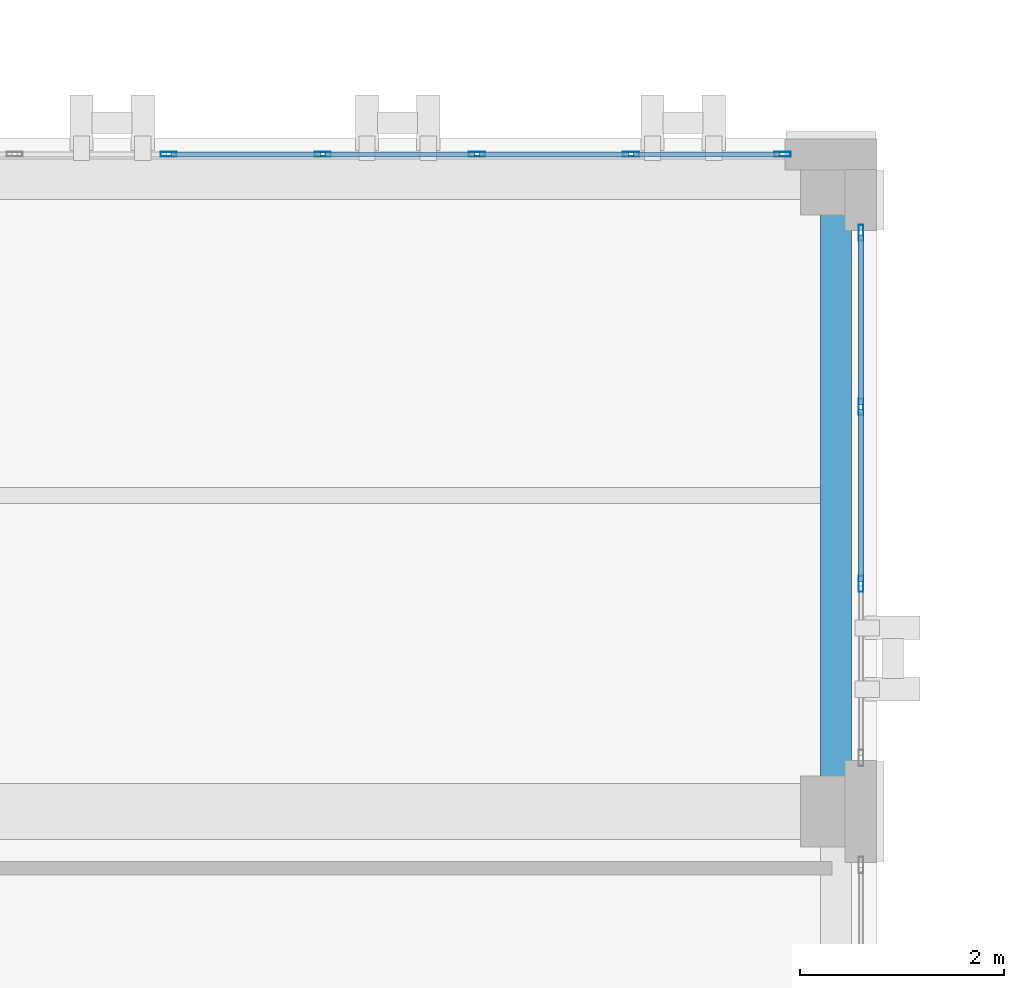
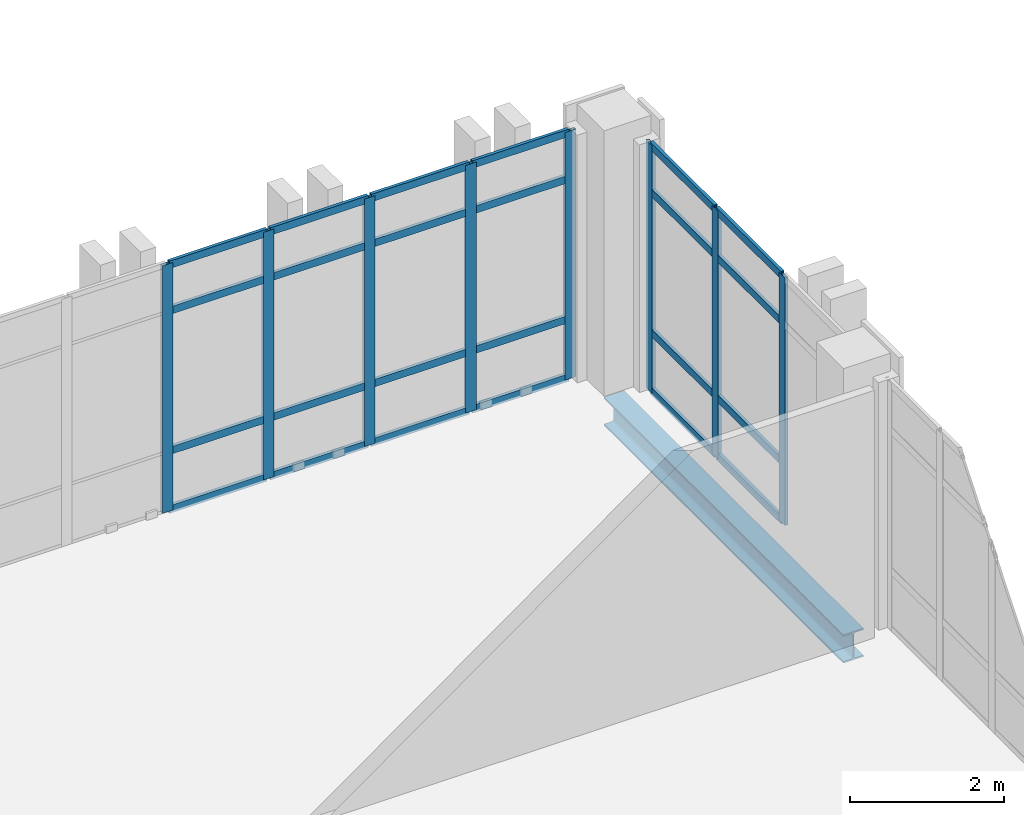
# One storey, part 112 of 193: 32 members, 1 beam, 2 elements without a shape of their own.
"""IFC4 building model written with IfcOpenShell, lengths in metres."""

from ifc_helpers import new_model, si_unit, direction, frame, origin, origin_2d, place, context, subcontext, project, spatial, hollow_rectangle, i_section, extrude, material, layer, layer_set, material_profile, profile_set, type_object, element, aggregate, save


model = new_model("IFC4")

# Units and contexts
model_context = context("Model", 3, precision=1e-05, world=origin(), true_north=direction((0.0, 1.0)))
body_context = subcontext(model_context, "Body", "Model", "MODEL_VIEW")
ifc_project = project(units=[si_unit("LENGTHUNIT", "METRE"), si_unit("AREAUNIT", "SQUARE_METRE"), si_unit("VOLUMEUNIT", "CUBIC_METRE"), si_unit("PLANEANGLEUNIT", "RADIAN"), si_unit("MASSUNIT", "GRAM", prefix="KILO")], contexts=[model_context])

# Site, building, storey
site_placement = place(None, origin())
site = spatial("IfcSite", under=ifc_project, at=site_placement, CompositionType="ELEMENT")
building_placement = place(site_placement, origin())
building = spatial("IfcBuilding", under=site, at=building_placement, Name="Qalavern Law Courts", CompositionType="ELEMENT")
storey_placement = place(building_placement, frame((0.0, 0.0, 10.199951171875)))
storey = spatial("IfcBuildingStorey", under=building, at=storey_placement, Name="L02", CompositionType="ELEMENT", Elevation=10.199951171875)

# Curtain wall, members
ifc_material_1 = material(Name="Anodised aluminium and insulated glazing", Category="aluminium")
ifc_layer = layer(ifc_material_1, 0.172119140625)
ifc_layer_set = layer_set([ifc_layer], Name="Anodised aluminium and insulated glazing")
curtain_wall_type = type_object("IfcCurtainWallType", Name="ENV-CW-COURT", PredefinedType="USERDEFINED", material=ifc_layer_set)
curtain_wall_1_placement = place(storey_placement, origin())
curtain_wall_1 = element("IfcCurtainWall", 1, at=curtain_wall_1_placement, inside=storey, type_object=curtain_wall_type, Name="V4 unitised curtain wall L02 east 5", ObjectType="UNITISED CURTAIN WALL", PredefinedType="USERDEFINED")
ifc_material_2 = material(Name="Anodised aluminium", Category="aluminium")
ifc_material_profile_1 = material_profile(ifc_material_2, hollow_rectangle(XDim=0.048095703125, YDim=0.159912109375, WallThickness=0.00390625, at=origin_2d()), Name="ALU MULLION 48x160")
ifc_profile_set_1 = profile_set([ifc_material_profile_1], Name="Anodised aluminium")
member_type_1 = type_object("IfcMemberType", Name="ENV-CWM-48x160", PredefinedType="MULLION", material=ifc_profile_set_1)
member_1_placement = place(storey_placement, frame((106.64501953125, 81.433349609375, 0.0), z_axis=(0.0, 0.0, 1.0), x_axis=(-1.0, 0.0, 0.0)))
member_1 = element("IfcMember", 2, at=member_1_placement, type_object=member_type_1, Name="CW-03 mullion 2", PredefinedType="MULLION", context=body_context, shape_type="SweptSolid", body=[
    extrude(hollow_rectangle(XDim=0.048095703125, YDim=0.159912109375, WallThickness=0.00390625, at=origin_2d()), origin(), (0.0, 0.0, 1.0), 3.9150390625),
])
member_2_placement = place(storey_placement, frame((106.64501953125, 83.166748046875, 0.0), z_axis=(0.0, 0.0, 1.0), x_axis=(-1.0, 0.0, 0.0)))
member_2 = element("IfcMember", 3, at=member_2_placement, type_object=member_type_1, Name="CW-03 mullion 3", PredefinedType="MULLION", context=body_context, shape_type="SweptSolid", body=[
    extrude(hollow_rectangle(XDim=0.048095703125, YDim=0.159912109375, WallThickness=0.00390625, at=origin_2d()), origin(), (0.0, 0.0, 1.0), 3.9150390625),
])
member_3_placement = place(storey_placement, frame((106.64501953125, 84.8759765625, 0.0), z_axis=(0.0, 0.0, 1.0), x_axis=(-1.0, 0.0, 0.0)))
member_3 = element("IfcMember", 4, at=member_3_placement, type_object=member_type_1, Name="CW-03 mullion 4", PredefinedType="MULLION", context=body_context, shape_type="SweptSolid", body=[
    extrude(hollow_rectangle(XDim=0.048095703125, YDim=0.159912109375, WallThickness=0.00390625, at=origin_2d()), origin(), (0.0, 0.0, 1.0), 3.9150390625),
])

curtain_wall_2_placement = place(storey_placement, origin())
curtain_wall_2 = element("IfcCurtainWall", 5, at=curtain_wall_2_placement, inside=storey, type_object=curtain_wall_type, Name="V4 unitised curtain wall L02 north 1", ObjectType="UNITISED CURTAIN WALL", PredefinedType="USERDEFINED")
member_4_placement = place(storey_placement, frame((105.8759765625, 85.64501953125, 0.0), z_axis=(0.0, 0.0, 1.0), x_axis=(0.0, -1.0, 0.0)))
member_4 = element("IfcMember", 6, at=member_4_placement, type_object=member_type_1, Name="CW-03 mullion 1", PredefinedType="MULLION", context=body_context, shape_type="SweptSolid", body=[
    extrude(hollow_rectangle(XDim=0.048095703125, YDim=0.159912109375, WallThickness=0.00390625, at=origin_2d()), origin(), (0.0, 0.0, 1.0), 3.9150390625),
])
member_5_placement = place(storey_placement, frame((104.388916015625, 85.64501953125, 0.0), z_axis=(0.0, 0.0, 1.0), x_axis=(0.0, -1.0, 0.0)))
member_5 = element("IfcMember", 7, at=member_5_placement, type_object=member_type_1, Name="CW-03 mullion 2", PredefinedType="MULLION", context=body_context, shape_type="SweptSolid", body=[
    extrude(hollow_rectangle(XDim=0.048095703125, YDim=0.159912109375, WallThickness=0.00390625, at=origin_2d()), origin(), (0.0, 0.0, 1.0), 3.9150390625),
])
member_6_placement = place(storey_placement, frame((102.877685546875, 85.64501953125, 0.0), z_axis=(0.0, 0.0, 1.0), x_axis=(0.0, -1.0, 0.0)))
member_6 = element("IfcMember", 8, at=member_6_placement, type_object=member_type_1, Name="CW-03 mullion 3", PredefinedType="MULLION", context=body_context, shape_type="SweptSolid", body=[
    extrude(hollow_rectangle(XDim=0.048095703125, YDim=0.159912109375, WallThickness=0.00390625, at=origin_2d()), origin(), (0.0, 0.0, 1.0), 3.9150390625),
])
member_7_placement = place(storey_placement, frame((101.36669921875, 85.64501953125, 0.0), z_axis=(0.0, 0.0, 1.0), x_axis=(0.0, -1.0, 0.0)))
member_7 = element("IfcMember", 9, at=member_7_placement, type_object=member_type_1, Name="CW-03 mullion 4", PredefinedType="MULLION", context=body_context, shape_type="SweptSolid", body=[
    extrude(hollow_rectangle(XDim=0.048095703125, YDim=0.159912109375, WallThickness=0.00390625, at=origin_2d()), origin(), (0.0, 0.0, 1.0), 3.9150390625),
])
member_8_placement = place(storey_placement, frame((99.85546875, 85.64501953125, 0.0), z_axis=(0.0, 0.0, 1.0), x_axis=(0.0, -1.0, 0.0)))
member_8 = element("IfcMember", 10, at=member_8_placement, type_object=member_type_1, Name="CW-03 mullion 5", PredefinedType="MULLION", context=body_context, shape_type="SweptSolid", body=[
    extrude(hollow_rectangle(XDim=0.048095703125, YDim=0.159912109375, WallThickness=0.00390625, at=origin_2d()), origin(), (0.0, 0.0, 1.0), 3.9150390625),
])

# Member
ifc_material_profile_2 = material_profile(ifc_material_2, hollow_rectangle(XDim=0.048095703125, YDim=0.1201171875, WallThickness=0.00390625, at=origin_2d()), Name="ALU TRANSOM 48x120")
ifc_profile_set_2 = profile_set([ifc_material_profile_2], Name="Anodised aluminium")
member_type_2 = type_object("IfcMemberType", Name="ENV-CWT-48x120", PredefinedType="USERDEFINED", material=ifc_profile_set_2)
member_9_placement = place(storey_placement, frame((106.64501953125, 81.457275390625, 0.024169921875), z_axis=(0.0, 1.0, 0.0), x_axis=(-1.0, 0.0, 0.0)))
member_9 = element("IfcMember", 11, at=member_9_placement, type_object=member_type_2, Name="CW-03 transom 2.1", ObjectType="TRANSOM", PredefinedType="USERDEFINED", context=body_context, shape_type="SweptSolid", body=[
    extrude(hollow_rectangle(XDim=0.048095703125, YDim=0.1201171875, WallThickness=0.00390625, at=origin_2d()), origin(), (0.0, 0.0, 1.0), 1.685302734375),
])

member_10_placement = place(storey_placement, frame((106.64501953125, 81.457275390625, 0.949951171875), z_axis=(0.0, 1.0, 0.0), x_axis=(-1.0, 0.0, 0.0)))
member_10 = element("IfcMember", 12, at=member_10_placement, type_object=member_type_2, Name="CW-03 transom 2.2", ObjectType="TRANSOM", PredefinedType="USERDEFINED", context=body_context, shape_type="SweptSolid", body=[
    extrude(hollow_rectangle(XDim=0.048095703125, YDim=0.1201171875, WallThickness=0.00390625, at=origin_2d()), origin(), (0.0, 0.0, 1.0), 1.685302734375),
])

member_11_placement = place(storey_placement, frame((106.64501953125, 81.457275390625, 3.1650390625), z_axis=(0.0, 1.0, 0.0), x_axis=(-1.0, 0.0, 0.0)))
member_11 = element("IfcMember", 13, at=member_11_placement, type_object=member_type_2, Name="CW-03 transom 2.3", ObjectType="TRANSOM", PredefinedType="USERDEFINED", context=body_context, shape_type="SweptSolid", body=[
    extrude(hollow_rectangle(XDim=0.048095703125, YDim=0.1201171875, WallThickness=0.00390625, at=origin_2d()), origin(), (0.0, 0.0, 1.0), 1.685302734375),
])

member_12_placement = place(storey_placement, frame((106.64501953125, 81.457275390625, 3.89111328125), z_axis=(0.0, 1.0, 0.0), x_axis=(-1.0, 0.0, 0.0)))
member_12 = element("IfcMember", 14, at=member_12_placement, type_object=member_type_2, Name="CW-03 transom 2.4", ObjectType="TRANSOM", PredefinedType="USERDEFINED", context=body_context, shape_type="SweptSolid", body=[
    extrude(hollow_rectangle(XDim=0.048095703125, YDim=0.1201171875, WallThickness=0.00390625, at=origin_2d()), origin(), (0.0, 0.0, 1.0), 1.685302734375),
])

member_13_placement = place(storey_placement, frame((106.64501953125, 83.190673828125, 0.024169921875), z_axis=(0.0, 1.0, 0.0), x_axis=(-1.0, 0.0, 0.0)))
member_13 = element("IfcMember", 15, at=member_13_placement, type_object=member_type_2, Name="CW-03 transom 3.1", ObjectType="TRANSOM", PredefinedType="USERDEFINED", context=body_context, shape_type="SweptSolid", body=[
    extrude(hollow_rectangle(XDim=0.048095703125, YDim=0.1201171875, WallThickness=0.00390625, at=origin_2d()), origin(), (0.0, 0.0, 1.0), 1.661376953125),
])

member_14_placement = place(storey_placement, frame((106.64501953125, 83.190673828125, 0.949951171875), z_axis=(0.0, 1.0, 0.0), x_axis=(-1.0, 0.0, 0.0)))
member_14 = element("IfcMember", 16, at=member_14_placement, type_object=member_type_2, Name="CW-03 transom 3.2", ObjectType="TRANSOM", PredefinedType="USERDEFINED", context=body_context, shape_type="SweptSolid", body=[
    extrude(hollow_rectangle(XDim=0.048095703125, YDim=0.1201171875, WallThickness=0.00390625, at=origin_2d()), origin(), (0.0, 0.0, 1.0), 1.661376953125),
])

member_15_placement = place(storey_placement, frame((106.64501953125, 83.190673828125, 3.1650390625), z_axis=(0.0, 1.0, 0.0), x_axis=(-1.0, 0.0, 0.0)))
member_15 = element("IfcMember", 17, at=member_15_placement, type_object=member_type_2, Name="CW-03 transom 3.3", ObjectType="TRANSOM", PredefinedType="USERDEFINED", context=body_context, shape_type="SweptSolid", body=[
    extrude(hollow_rectangle(XDim=0.048095703125, YDim=0.1201171875, WallThickness=0.00390625, at=origin_2d()), origin(), (0.0, 0.0, 1.0), 1.661376953125),
])

member_16_placement = place(storey_placement, frame((106.64501953125, 83.190673828125, 3.89111328125), z_axis=(0.0, 1.0, 0.0), x_axis=(-1.0, 0.0, 0.0)))
member_16 = element("IfcMember", 18, at=member_16_placement, type_object=member_type_2, Name="CW-03 transom 3.4", ObjectType="TRANSOM", PredefinedType="USERDEFINED", context=body_context, shape_type="SweptSolid", body=[
    extrude(hollow_rectangle(XDim=0.048095703125, YDim=0.1201171875, WallThickness=0.00390625, at=origin_2d()), origin(), (0.0, 0.0, 1.0), 1.661376953125),
])

aggregate(curtain_wall_1, [member_1, member_2, member_3, member_9, member_10, member_11, member_12, member_13, member_14, member_15, member_16])

member_17_placement = place(storey_placement, frame((105.85205078125, 85.64501953125, 0.024169921875), z_axis=(-1.0, 0.0, 0.0), x_axis=(0.0, -1.0, 0.0)))
member_17 = element("IfcMember", 19, at=member_17_placement, type_object=member_type_2, Name="CW-03 transom 1.1", ObjectType="TRANSOM", PredefinedType="USERDEFINED", context=body_context, shape_type="SweptSolid", body=[
    extrude(hollow_rectangle(XDim=0.048095703125, YDim=0.1201171875, WallThickness=0.00390625, at=origin_2d()), origin(), (0.0, 0.0, 1.0), 1.439208984375),
])

member_18_placement = place(storey_placement, frame((105.85205078125, 85.64501953125, 0.949951171875), z_axis=(-1.0, 0.0, 0.0), x_axis=(0.0, -1.0, 0.0)))
member_18 = element("IfcMember", 20, at=member_18_placement, type_object=member_type_2, Name="CW-03 transom 1.2", ObjectType="TRANSOM", PredefinedType="USERDEFINED", context=body_context, shape_type="SweptSolid", body=[
    extrude(hollow_rectangle(XDim=0.048095703125, YDim=0.1201171875, WallThickness=0.00390625, at=origin_2d()), origin(), (0.0, 0.0, 1.0), 1.439208984375),
])

member_19_placement = place(storey_placement, frame((105.85205078125, 85.64501953125, 3.1650390625), z_axis=(-1.0, 0.0, 0.0), x_axis=(0.0, -1.0, 0.0)))
member_19 = element("IfcMember", 21, at=member_19_placement, type_object=member_type_2, Name="CW-03 transom 1.3", ObjectType="TRANSOM", PredefinedType="USERDEFINED", context=body_context, shape_type="SweptSolid", body=[
    extrude(hollow_rectangle(XDim=0.048095703125, YDim=0.1201171875, WallThickness=0.00390625, at=origin_2d()), origin(), (0.0, 0.0, 1.0), 1.439208984375),
])

member_20_placement = place(storey_placement, frame((105.85205078125, 85.64501953125, 3.89111328125), z_axis=(-1.0, 0.0, 0.0), x_axis=(0.0, -1.0, 0.0)))
member_20 = element("IfcMember", 22, at=member_20_placement, type_object=member_type_2, Name="CW-03 transom 1.4", ObjectType="TRANSOM", PredefinedType="USERDEFINED", context=body_context, shape_type="SweptSolid", body=[
    extrude(hollow_rectangle(XDim=0.048095703125, YDim=0.1201171875, WallThickness=0.00390625, at=origin_2d()), origin(), (0.0, 0.0, 1.0), 1.439208984375),
])

member_21_placement = place(storey_placement, frame((104.364990234375, 85.64501953125, 0.024169921875), z_axis=(-1.0, 0.0, 0.0), x_axis=(0.0, -1.0, 0.0)))
member_21 = element("IfcMember", 23, at=member_21_placement, type_object=member_type_2, Name="CW-03 transom 2.1", ObjectType="TRANSOM", PredefinedType="USERDEFINED", context=body_context, shape_type="SweptSolid", body=[
    extrude(hollow_rectangle(XDim=0.048095703125, YDim=0.1201171875, WallThickness=0.00390625, at=origin_2d()), origin(), (0.0, 0.0, 1.0), 1.463134765625),
])

member_22_placement = place(storey_placement, frame((104.364990234375, 85.64501953125, 0.949951171875), z_axis=(-1.0, 0.0, 0.0), x_axis=(0.0, -1.0, 0.0)))
member_22 = element("IfcMember", 24, at=member_22_placement, type_object=member_type_2, Name="CW-03 transom 2.2", ObjectType="TRANSOM", PredefinedType="USERDEFINED", context=body_context, shape_type="SweptSolid", body=[
    extrude(hollow_rectangle(XDim=0.048095703125, YDim=0.1201171875, WallThickness=0.00390625, at=origin_2d()), origin(), (0.0, 0.0, 1.0), 1.463134765625),
])

member_23_placement = place(storey_placement, frame((104.364990234375, 85.64501953125, 3.1650390625), z_axis=(-1.0, 0.0, 0.0), x_axis=(0.0, -1.0, 0.0)))
member_23 = element("IfcMember", 25, at=member_23_placement, type_object=member_type_2, Name="CW-03 transom 2.3", ObjectType="TRANSOM", PredefinedType="USERDEFINED", context=body_context, shape_type="SweptSolid", body=[
    extrude(hollow_rectangle(XDim=0.048095703125, YDim=0.1201171875, WallThickness=0.00390625, at=origin_2d()), origin(), (0.0, 0.0, 1.0), 1.463134765625),
])

member_24_placement = place(storey_placement, frame((104.364990234375, 85.64501953125, 3.89111328125), z_axis=(-1.0, 0.0, 0.0), x_axis=(0.0, -1.0, 0.0)))
member_24 = element("IfcMember", 26, at=member_24_placement, type_object=member_type_2, Name="CW-03 transom 2.4", ObjectType="TRANSOM", PredefinedType="USERDEFINED", context=body_context, shape_type="SweptSolid", body=[
    extrude(hollow_rectangle(XDim=0.048095703125, YDim=0.1201171875, WallThickness=0.00390625, at=origin_2d()), origin(), (0.0, 0.0, 1.0), 1.463134765625),
])

member_25_placement = place(storey_placement, frame((102.853759765625, 85.64501953125, 0.024169921875), z_axis=(-1.0, 0.0, 0.0), x_axis=(0.0, -1.0, 0.0)))
member_25 = element("IfcMember", 27, at=member_25_placement, type_object=member_type_2, Name="CW-03 transom 3.1", ObjectType="TRANSOM", PredefinedType="USERDEFINED", context=body_context, shape_type="SweptSolid", body=[
    extrude(hollow_rectangle(XDim=0.048095703125, YDim=0.1201171875, WallThickness=0.00390625, at=origin_2d()), origin(), (0.0, 0.0, 1.0), 1.463134765625),
])

member_26_placement = place(storey_placement, frame((102.853759765625, 85.64501953125, 0.949951171875), z_axis=(-1.0, 0.0, 0.0), x_axis=(0.0, -1.0, 0.0)))
member_26 = element("IfcMember", 28, at=member_26_placement, type_object=member_type_2, Name="CW-03 transom 3.2", ObjectType="TRANSOM", PredefinedType="USERDEFINED", context=body_context, shape_type="SweptSolid", body=[
    extrude(hollow_rectangle(XDim=0.048095703125, YDim=0.1201171875, WallThickness=0.00390625, at=origin_2d()), origin(), (0.0, 0.0, 1.0), 1.463134765625),
])

member_27_placement = place(storey_placement, frame((102.853759765625, 85.64501953125, 3.1650390625), z_axis=(-1.0, 0.0, 0.0), x_axis=(0.0, -1.0, 0.0)))
member_27 = element("IfcMember", 29, at=member_27_placement, type_object=member_type_2, Name="CW-03 transom 3.3", ObjectType="TRANSOM", PredefinedType="USERDEFINED", context=body_context, shape_type="SweptSolid", body=[
    extrude(hollow_rectangle(XDim=0.048095703125, YDim=0.1201171875, WallThickness=0.00390625, at=origin_2d()), origin(), (0.0, 0.0, 1.0), 1.463134765625),
])

member_28_placement = place(storey_placement, frame((102.853759765625, 85.64501953125, 3.89111328125), z_axis=(-1.0, 0.0, 0.0), x_axis=(0.0, -1.0, 0.0)))
member_28 = element("IfcMember", 30, at=member_28_placement, type_object=member_type_2, Name="CW-03 transom 3.4", ObjectType="TRANSOM", PredefinedType="USERDEFINED", context=body_context, shape_type="SweptSolid", body=[
    extrude(hollow_rectangle(XDim=0.048095703125, YDim=0.1201171875, WallThickness=0.00390625, at=origin_2d()), origin(), (0.0, 0.0, 1.0), 1.463134765625),
])

member_29_placement = place(storey_placement, frame((101.3427734375, 85.64501953125, 0.024169921875), z_axis=(-1.0, 0.0, 0.0), x_axis=(0.0, -1.0, 0.0)))
member_29 = element("IfcMember", 31, at=member_29_placement, type_object=member_type_2, Name="CW-03 transom 4.1", ObjectType="TRANSOM", PredefinedType="USERDEFINED", context=body_context, shape_type="SweptSolid", body=[
    extrude(hollow_rectangle(XDim=0.048095703125, YDim=0.1201171875, WallThickness=0.00390625, at=origin_2d()), origin(), (0.0, 0.0, 1.0), 1.463134765625),
])

member_30_placement = place(storey_placement, frame((101.3427734375, 85.64501953125, 0.949951171875), z_axis=(-1.0, 0.0, 0.0), x_axis=(0.0, -1.0, 0.0)))
member_30 = element("IfcMember", 32, at=member_30_placement, type_object=member_type_2, Name="CW-03 transom 4.2", ObjectType="TRANSOM", PredefinedType="USERDEFINED", context=body_context, shape_type="SweptSolid", body=[
    extrude(hollow_rectangle(XDim=0.048095703125, YDim=0.1201171875, WallThickness=0.00390625, at=origin_2d()), origin(), (0.0, 0.0, 1.0), 1.463134765625),
])

member_31_placement = place(storey_placement, frame((101.3427734375, 85.64501953125, 3.1650390625), z_axis=(-1.0, 0.0, 0.0), x_axis=(0.0, -1.0, 0.0)))
member_31 = element("IfcMember", 33, at=member_31_placement, type_object=member_type_2, Name="CW-03 transom 4.3", ObjectType="TRANSOM", PredefinedType="USERDEFINED", context=body_context, shape_type="SweptSolid", body=[
    extrude(hollow_rectangle(XDim=0.048095703125, YDim=0.1201171875, WallThickness=0.00390625, at=origin_2d()), origin(), (0.0, 0.0, 1.0), 1.463134765625),
])

member_32_placement = place(storey_placement, frame((101.3427734375, 85.64501953125, 3.89111328125), z_axis=(-1.0, 0.0, 0.0), x_axis=(0.0, -1.0, 0.0)))
member_32 = element("IfcMember", 34, at=member_32_placement, type_object=member_type_2, Name="CW-03 transom 4.4", ObjectType="TRANSOM", PredefinedType="USERDEFINED", context=body_context, shape_type="SweptSolid", body=[
    extrude(hollow_rectangle(XDim=0.048095703125, YDim=0.1201171875, WallThickness=0.00390625, at=origin_2d()), origin(), (0.0, 0.0, 1.0), 1.463134765625),
])

aggregate(curtain_wall_2, [member_4, member_5, member_6, member_7, member_8, member_17, member_18, member_19, member_20, member_21, member_22, member_23, member_24, member_25, member_26, member_27, member_28, member_29, member_30, member_31, member_32])

# Beam
ifc_material_3 = material(Name="Steel S355", Category="steel")
ifc_material_profile_3 = material_profile(ifc_material_3, i_section(OverallWidth=0.300048828125, OverallDepth=0.449951171875, WebThickness=0.013916015625, FlangeThickness=0.02587890625, FilletRadius=0.027099609375, at=origin_2d()), Name="HEB 450")
ifc_profile_set_3 = profile_set([ifc_material_profile_3], Name="Steel S355")
beam_type = type_object("IfcBeamType", Name="STR-SP-HEB450", PredefinedType="SPANDREL", material=ifc_profile_set_3)
beam_placement = place(storey_placement, frame((106.39990234375, 79.199951171875, -0.514892578125), z_axis=(0.0, 1.0, 0.0), x_axis=(-1.0, 0.0, 0.0)))
element("IfcBeam", 35, at=beam_placement, inside=storey, type_object=beam_type, Name="V4 Y-beam 3-6 L02", PredefinedType="SPANDREL", context=body_context, shape_type="SweptSolid", body=[
    extrude(i_section(OverallWidth=0.300048828125, OverallDepth=0.449951171875, WebThickness=0.013916015625, FlangeThickness=0.02587890625, FilletRadius=0.027099609375, at=origin_2d()), origin(), (0.0, 0.0, 1.0), 6.199951171875),
])

save(model, "model.ifc")
